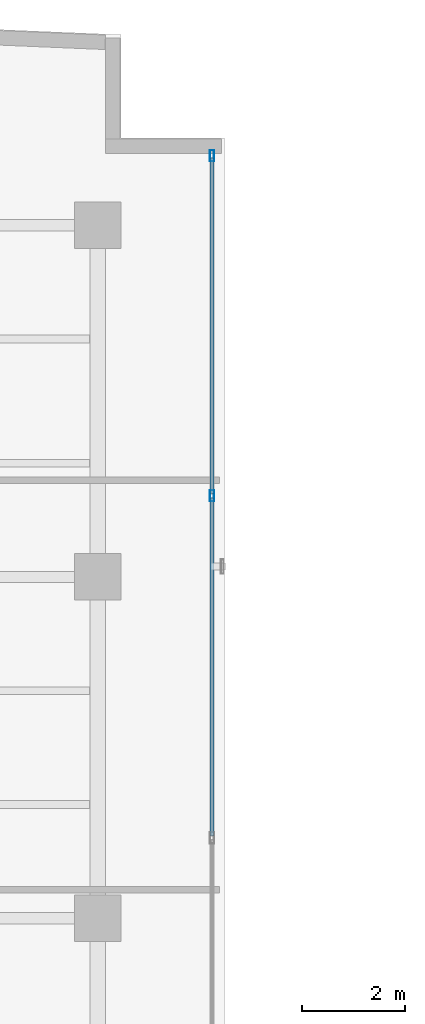
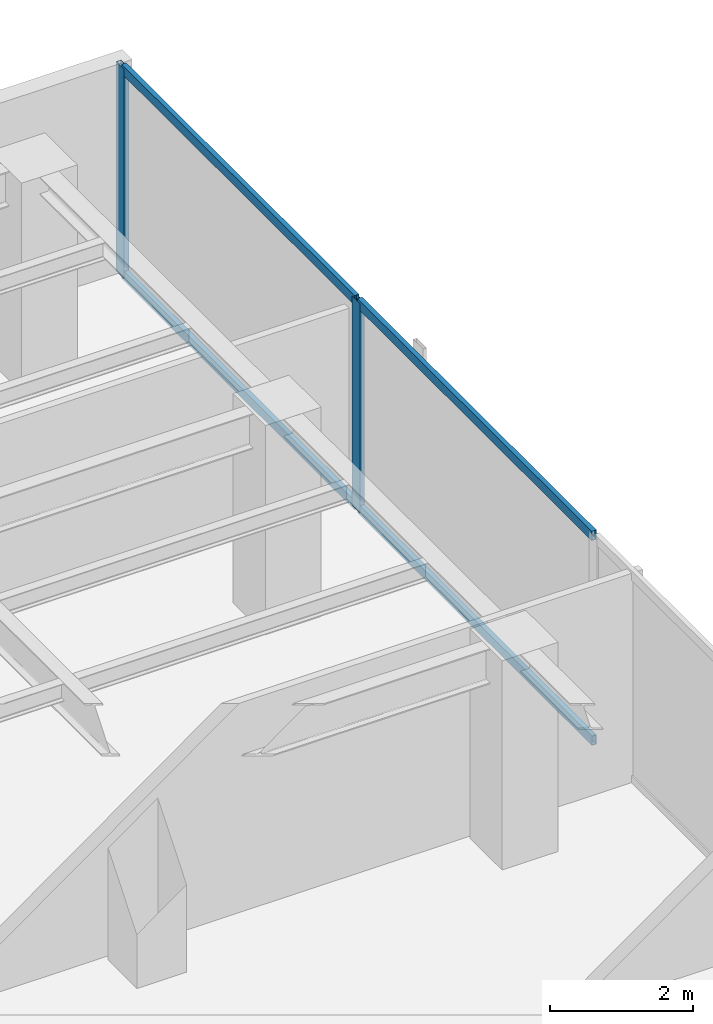
# One storey, part 15 of 24: 6 members, 1 element without a shape of its own.
"""IFC4 building model written with IfcOpenShell, lengths in metres."""

from ifc_helpers import new_model, si_unit, direction, frame, origin, origin_with_axes, origin_2d, place, context, subcontext, project, spatial, hollow_rectangle, extrude, source, transform, mapped, material, layer, layer_set, material_profile, profile_set, type_object, element, aggregate, save


model = new_model("IFC4")

# Units and contexts
model_context = context("Model", 3, precision=1e-05, world=origin(), true_north=direction((0.0, 1.0)))
body_context = subcontext(model_context, "Body", "Model", "MODEL_VIEW")
ifc_project = project(units=[si_unit("LENGTHUNIT", "METRE"), si_unit("AREAUNIT", "SQUARE_METRE"), si_unit("VOLUMEUNIT", "CUBIC_METRE"), si_unit("PLANEANGLEUNIT", "RADIAN"), si_unit("MASSUNIT", "GRAM", prefix="KILO")], contexts=[model_context])

# Site, building, storey
site_placement = place(None, origin())
site = spatial("IfcSite", under=ifc_project, at=site_placement, CompositionType="ELEMENT")
building_placement = place(site_placement, origin())
building = spatial("IfcBuilding", under=site, at=building_placement, Name="Kolvaren Waterfront Exchange", CompositionType="ELEMENT")
storey_placement = place(building_placement, frame((0.0, 0.0, 316.0)))
storey = spatial("IfcBuildingStorey", under=building, at=storey_placement, Name="L81", CompositionType="ELEMENT", Elevation=316.0)

# Curtain wall, members
ifc_material_1 = material(Name="Anodised bronze aluminium 6063-T6", Category="aluminium")
ifc_layer = layer(ifc_material_1, 0.219970703125, Name="Anodised bronze aluminium 6063-T6")
ifc_layer_set = layer_set([ifc_layer], Name="Anodised bronze aluminium 6063-T6")
curtain_wall_type = type_object("IfcCurtainWallType", Name="ARC-CW-SYS1", PredefinedType="USERDEFINED", material=ifc_layer_set)
curtain_wall_placement = place(storey_placement, origin())
curtain_wall = element("IfcCurtainWall", 1, at=curtain_wall_placement, inside=storey, type_object=curtain_wall_type, Name="L81 stick curtain wall CW1 (CW-L81-NE)", ObjectType="STICK CURTAIN WALL", PredefinedType="USERDEFINED")
ifc_material_2 = material(Name="Anodised aluminium 6063-T6", Category="aluminium")
ifc_material_profile_1 = material_profile(ifc_material_2, hollow_rectangle(XDim=0.080078125, YDim=0.219970703125, WallThickness=0.0048828125, at=origin_2d()), Name="ALU-MUL-220x80x5")
ifc_profile_set_1 = profile_set([ifc_material_profile_1], Name="Anodised aluminium 6063-T6")
member_type_1 = type_object("IfcMemberType", Name="ARC-CWM-220", PredefinedType="MULLION", material=ifc_profile_set_1)
shared_shape_1 = source(origin_with_axes(), body_context, "Body", "SweptSolid", [
    extrude(hollow_rectangle(XDim=0.080078125, YDim=0.219970703125, WallThickness=0.0048828125, at=origin_2d()), origin(), (0.0, 0.0, 1.0), 3.56005859375),
])
member_1_placement = place(storey_placement, frame((21.0126953125, 39.370361328125, 0.0), z_axis=(0.0, 0.0, 1.0), x_axis=(-1.0, 0.0, 0.0)))
member_1 = element("IfcMember", 2, at=member_1_placement, type_object=member_type_1, Name="CW1 mullion 3", PredefinedType="MULLION", context=body_context, shape_type="MappedRepresentation", body=[
    mapped(shared_shape_1, transform((0.0, 0.0, 0.0), x_axis=(1.0, 0.0, 0.0), y_axis=(0.0, 1.0, 0.0), z_axis=(0.0, 0.0, 1.0), scale=1.0)),
])
member_2_placement = place(storey_placement, frame((21.0126953125, 45.944091796875, 0.0), z_axis=(0.0, 0.0, 1.0), x_axis=(-1.0, 0.0, 0.0)))
member_2 = element("IfcMember", 3, at=member_2_placement, type_object=member_type_1, Name="CW1 mullion 4", PredefinedType="MULLION", context=body_context, shape_type="MappedRepresentation", body=[
    mapped(shared_shape_1, transform((0.0, 0.0, 0.0), x_axis=(1.0, 0.0, 0.0), y_axis=(0.0, 1.0, 0.0), z_axis=(0.0, 0.0, 1.0), scale=1.0)),
])
ifc_material_profile_2 = material_profile(ifc_material_2, hollow_rectangle(XDim=0.074951171875, YDim=0.159912109375, WallThickness=0.00439453125, at=origin_2d()), Name="ALU-TRN-160x75x4.5")
ifc_profile_set_2 = profile_set([ifc_material_profile_2], Name="Anodised aluminium 6063-T6")
member_type_2 = type_object("IfcMemberType", Name="ARC-CWT-160", PredefinedType="USERDEFINED", material=ifc_profile_set_2)
shared_shape_2 = source(origin_with_axes(), body_context, "Body", "SweptSolid", [
    extrude(hollow_rectangle(XDim=0.074951171875, YDim=0.159912109375, WallThickness=0.00439453125, at=origin_2d()), origin(), (0.0, 0.0, 1.0), 6.493896484375),
])
member_3_placement = place(storey_placement, frame((21.0126953125, 39.410400390625, 0.03759765625), z_axis=(0.0, 1.0, 0.0), x_axis=(-1.0, 0.0, 0.0)))
member_3 = element("IfcMember", 4, at=member_3_placement, type_object=member_type_2, Name="CW1 transom 3.1", ObjectType="TRANSOM", PredefinedType="USERDEFINED", context=body_context, shape_type="MappedRepresentation", body=[
    mapped(shared_shape_2, transform((0.0, 0.0, 0.0), x_axis=(1.0, 0.0, 0.0), y_axis=(0.0, 1.0, 0.0), z_axis=(0.0, 0.0, 1.0), scale=1.0)),
])
member_4_placement = place(storey_placement, frame((21.0126953125, 39.410400390625, 3.5224609375), z_axis=(0.0, 1.0, 0.0), x_axis=(-1.0, 0.0, 0.0)))
member_4 = element("IfcMember", 5, at=member_4_placement, type_object=member_type_2, Name="CW1 transom 3.2", ObjectType="TRANSOM", PredefinedType="USERDEFINED", context=body_context, shape_type="MappedRepresentation", body=[
    mapped(shared_shape_2, transform((0.0, 0.0, 0.0), x_axis=(1.0, 0.0, 0.0), y_axis=(0.0, 1.0, 0.0), z_axis=(0.0, 0.0, 1.0), scale=1.0)),
])
shared_shape_3 = source(origin_with_axes(), body_context, "Body", "SweptSolid", [
    extrude(hollow_rectangle(XDim=0.074951171875, YDim=0.159912109375, WallThickness=0.00439453125, at=origin_2d()), origin(), (0.0, 0.0, 1.0), 6.533935546875),
])
member_5_placement = place(storey_placement, frame((21.0126953125, 32.79638671875, 0.03759765625), z_axis=(0.0, 1.0, 0.0), x_axis=(-1.0, 0.0, 0.0)))
member_5 = element("IfcMember", 6, at=member_5_placement, type_object=member_type_2, Name="CW1 transom 2.1", ObjectType="TRANSOM", PredefinedType="USERDEFINED", context=body_context, shape_type="MappedRepresentation", body=[
    mapped(shared_shape_3, transform((0.0, 0.0, 0.0), x_axis=(1.0, 0.0, 0.0), y_axis=(0.0, 1.0, 0.0), z_axis=(0.0, 0.0, 1.0), scale=1.0)),
])
member_6_placement = place(storey_placement, frame((21.0126953125, 32.79638671875, 3.5224609375), z_axis=(0.0, 1.0, 0.0), x_axis=(-1.0, 0.0, 0.0)))
member_6 = element("IfcMember", 7, at=member_6_placement, type_object=member_type_2, Name="CW1 transom 2.2", ObjectType="TRANSOM", PredefinedType="USERDEFINED", context=body_context, shape_type="MappedRepresentation", body=[
    mapped(shared_shape_3, transform((0.0, 0.0, 0.0), x_axis=(1.0, 0.0, 0.0), y_axis=(0.0, 1.0, 0.0), z_axis=(0.0, 0.0, 1.0), scale=1.0)),
])
aggregate(curtain_wall, [member_1, member_2, member_5, member_6, member_3, member_4])

save(model, "model.ifc")
